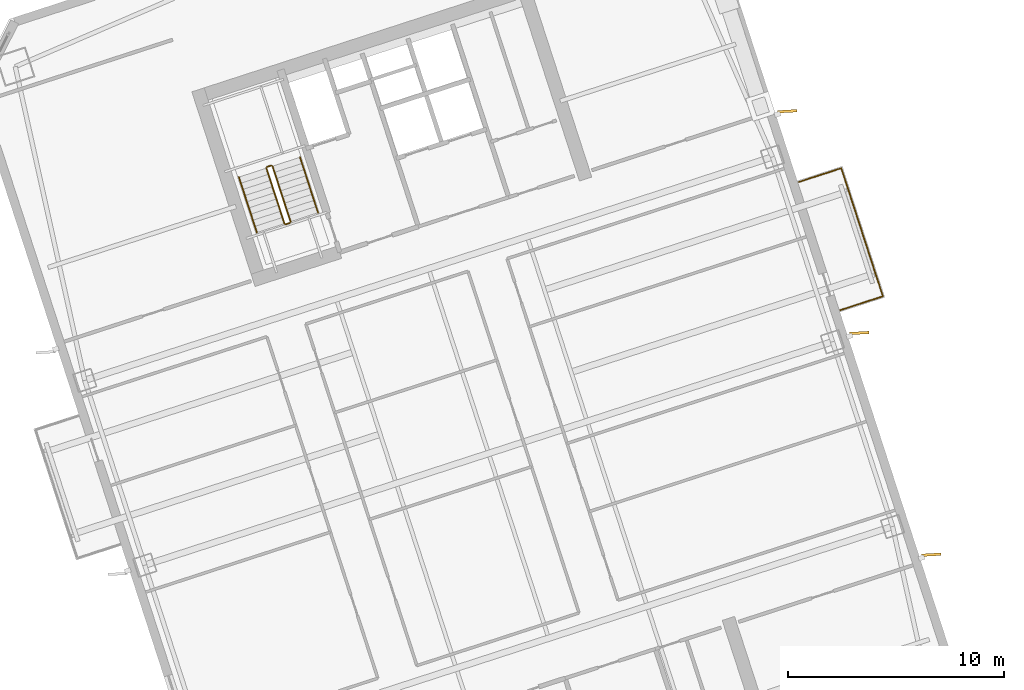
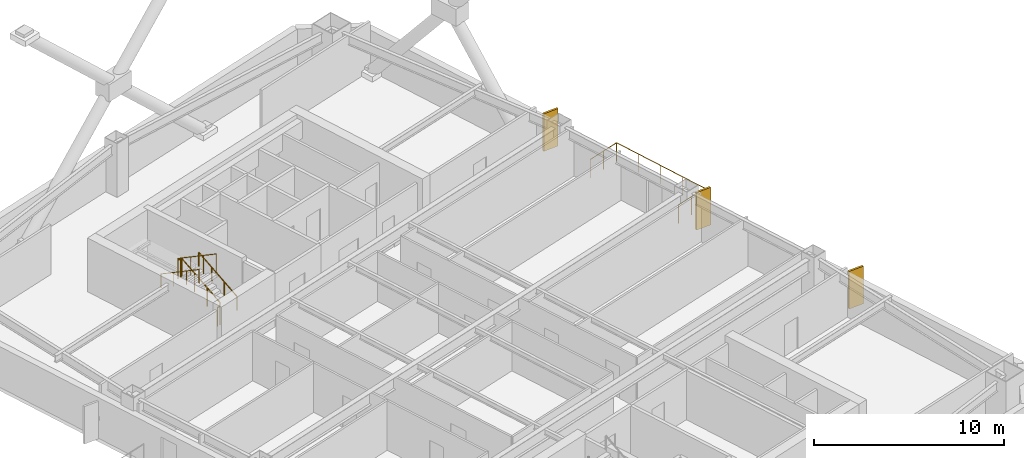
# One storey, part 24 of 24: 7 railings, 3 shading devices.
"""IFC4 building model written with IfcOpenShell, lengths in metres."""

from ifc_helpers import new_model, si_unit, direction, frame, origin, origin_2d, place, context, subcontext, project, spatial, rectangle, circle, extrude, material, layer, layer_set, type_object, element, save


model = new_model("IFC4")

# Units and contexts
model_context = context("Model", 3, precision=1e-05, world=origin(), true_north=direction((0.0, 1.0)))
body_context = subcontext(model_context, "Body", "Model", "MODEL_VIEW")
ifc_project = project(units=[si_unit("LENGTHUNIT", "METRE"), si_unit("AREAUNIT", "SQUARE_METRE"), si_unit("VOLUMEUNIT", "CUBIC_METRE"), si_unit("PLANEANGLEUNIT", "RADIAN"), si_unit("MASSUNIT", "GRAM", prefix="KILO")], contexts=[model_context])

# Site, building, storey
site_placement = place(None, origin())
site = spatial("IfcSite", under=ifc_project, at=site_placement, CompositionType="ELEMENT")
building_placement = place(site_placement, origin())
building = spatial("IfcBuilding", under=site, at=building_placement, Name="Qiaolan Cultural Towers", CompositionType="ELEMENT")
storey_placement = place(building_placement, frame((0.0, 0.0, 120.75)))
storey = spatial("IfcBuildingStorey", under=building, at=storey_placement, Name="L31", CompositionType="ELEMENT", Elevation=120.75)

# Railings
ifc_material_1 = material(Name="Laminated SentryGlas & Stainless Steel S31608 Balustrade", Category="steel")
railing_type_1 = type_object("IfcRailingType", Name="GRD-TERR-1200", PredefinedType="BALUSTRADE", material=ifc_material_1)
railing_1_placement = place(storey_placement, frame((106.29541015625, 40.640625, 0.0)))
element("IfcRailing", 1, at=railing_1_placement, inside=storey, type_object=railing_type_1, Name="L31 T2 Tree Balcony Guardrail E", PredefinedType="BALUSTRADE", context=body_context, shape_type="SweptSolid", body=[
    extrude(circle(Radius=0.02392578125, at=origin_2d()), frame((0.0, 0.0, 1.17578125), z_axis=(0.951061799618, 0.309000733507, 0.0), x_axis=(-0.309000733507, 0.951061799618, 0.0)), (0.0, 0.0, 1.0), 2.070068359375),
    extrude(circle(Radius=0.02392578125, at=origin_2d()), frame((1.96875, 0.6396484375, 1.17578125), z_axis=(-0.30901175762, 0.951058217804, 0.0), x_axis=(-0.951058217804, -0.30901175762, 0.0)), (0.0, 0.0, 1.0), 6.239990234375),
    extrude(circle(Radius=0.02392578125, at=origin_2d()), frame((0.04052734375, 6.57421875, 1.17578125), z_axis=(-0.951061799618, -0.309000733507, 0.0), x_axis=(0.309000733507, -0.951061799618, 0.0)), (0.0, 0.0, 1.0), 2.070068359375),
    extrude(circle(Radius=0.02099609375, at=origin_2d()), origin(), (0.0, 0.0, 1.0), 1.15185546875),
    extrude(circle(Radius=0.02099609375, at=origin_2d()), frame((0.984375, 0.31982421875, 0.0)), (0.0, 0.0, 1.0), 1.15185546875),
    extrude(circle(Radius=0.02099609375, at=origin_2d()), frame((1.96875, 0.6396484375, 0.0)), (0.0, 0.0, 1.0), 1.15185546875),
    extrude(circle(Radius=0.02099609375, at=origin_2d()), frame((1.48681640625, 2.123291015625, 0.0)), (0.0, 0.0, 1.0), 1.15185546875),
    extrude(circle(Radius=0.02099609375, at=origin_2d()), frame((1.004638671875, 3.60693359375, 0.0)), (0.0, 0.0, 1.0), 1.15185546875),
    extrude(circle(Radius=0.02099609375, at=origin_2d()), frame((0.5224609375, 5.090576171875, 0.0)), (0.0, 0.0, 1.0), 1.15185546875),
    extrude(circle(Radius=0.02099609375, at=origin_2d()), frame((0.04052734375, 6.57421875, 0.0)), (0.0, 0.0, 1.0), 1.15185546875),
    extrude(circle(Radius=0.02099609375, at=origin_2d()), frame((-0.94384765625, 6.25439453125, 0.0)), (0.0, 0.0, 1.0), 1.15185546875),
    extrude(circle(Radius=0.02099609375, at=origin_2d()), frame((-1.92822265625, 5.9345703125, 0.0)), (0.0, 0.0, 1.0), 1.15185546875),
])
ifc_material_2 = material(Name="Galvanized Painted Steel Stair Guardrail", Category="steel")
railing_type_2 = type_object("IfcRailingType", Name="RL-STAIR-GRD", PredefinedType="GUARDRAIL", material=ifc_material_2)
railing_2_placement = place(storey_placement, frame((80.822021484375, 44.739501953125, 0.172607421875)))
element("IfcRailing", 2, at=railing_2_placement, inside=storey, type_object=railing_type_2, Name="L31 ST-E2 stair guard 1", PredefinedType="GUARDRAIL", context=body_context, shape_type="SweptSolid", body=[
    extrude(circle(Radius=0.02392578125, at=origin_2d()), frame((0.0, 0.0, 1.17578125), z_axis=(-0.26785290645, 0.824488402118, 0.498471358535), x_axis=(-0.951069945308, -0.308975661068, 0.0)), (0.0, 0.0, 1.0), 3.114501953125),
    extrude(circle(Radius=0.02099609375, at=origin_2d()), origin(), (0.0, 0.0, 1.0), 1.15185546875),
    extrude(circle(Radius=0.02099609375, at=origin_2d()), frame((-0.278076171875, 0.85595703125, 0.517578125)), (0.0, 0.0, 1.0), 1.15185546875),
    extrude(circle(Radius=0.02099609375, at=origin_2d()), frame((-0.55615234375, 1.7119140625, 1.034912109375)), (0.0, 0.0, 1.0), 1.15185546875),
    extrude(circle(Radius=0.02099609375, at=origin_2d()), frame((-0.834228515625, 2.56787109375, 1.552490234375)), (0.0, 0.0, 1.0), 1.15185546875),
])
railing_3_placement = place(storey_placement, frame((79.9248046875, 47.33935546875, 1.72509765625)))
element("IfcRailing", 3, at=railing_3_placement, inside=storey, type_object=railing_type_2, Name="L31 ST-E2 stair guard 2", PredefinedType="GUARDRAIL", context=body_context, shape_type="SweptSolid", body=[
    extrude(circle(Radius=0.02392578125, at=origin_2d()), frame((0.0, 0.0, 1.17578125), z_axis=(-0.951096855055, -0.308892816854, 0.0), x_axis=(0.308892816854, -0.951096855055, 0.0)), (0.0, 0.0, 1.0), 0.199951171875),
    extrude(circle(Radius=0.02099609375, at=origin_2d()), origin(), (0.0, 0.0, 1.0), 1.15185546875),
    extrude(circle(Radius=0.02099609375, at=origin_2d()), frame((-0.190185546875, -0.061767578125, 0.0)), (0.0, 0.0, 1.0), 1.15185546875),
])
railing_4_placement = place(storey_placement, frame((79.702392578125, 47.214599609375, 1.8974609375)))
element("IfcRailing", 4, at=railing_4_placement, inside=storey, type_object=railing_type_2, Name="L31 ST-E2 stair guard 3", PredefinedType="GUARDRAIL", context=body_context, shape_type="SweptSolid", body=[
    extrude(circle(Radius=0.02392578125, at=origin_2d()), frame((0.0, 0.0, 1.17578125), z_axis=(0.267925668498, -0.824471088726, 0.498460891159), x_axis=(0.951043371037, 0.309057448393, 0.0)), (0.0, 0.0, 1.0), 3.114501953125),
    extrude(circle(Radius=0.02099609375, at=origin_2d()), origin(), (0.0, 0.0, 1.0), 1.15185546875),
    extrude(circle(Radius=0.02099609375, at=origin_2d()), frame((0.278076171875, -0.85595703125, 0.517578125)), (0.0, 0.0, 1.0), 1.15185546875),
    extrude(circle(Radius=0.02099609375, at=origin_2d()), frame((0.556396484375, -1.7119140625, 1.034912109375)), (0.0, 0.0, 1.0), 1.15185546875),
    extrude(circle(Radius=0.02099609375, at=origin_2d()), frame((0.83447265625, -2.56787109375, 1.552490234375)), (0.0, 0.0, 1.0), 1.15185546875),
])
railing_5_placement = place(storey_placement, frame((80.7900390625, 44.676513671875, 0.0)))
element("IfcRailing", 5, at=railing_5_placement, inside=storey, type_object=railing_type_2, Name="L31 ST-E2 stair guard 4", PredefinedType="GUARDRAIL", context=body_context, shape_type="SweptSolid", body=[
    extrude(circle(Radius=0.02392578125, at=origin_2d()), frame((0.0, 0.0, 1.17578125), z_axis=(-0.951096855055, -0.308892816854, 0.0), x_axis=(0.308892816854, -0.951096855055, 0.0)), (0.0, 0.0, 1.0), 0.199951171875),
    extrude(circle(Radius=0.02099609375, at=origin_2d()), origin(), (0.0, 0.0, 1.0), 1.15185546875),
    extrude(circle(Radius=0.02099609375, at=origin_2d()), frame((-0.190185546875, -0.061767578125, 0.0)), (0.0, 0.0, 1.0), 1.15185546875),
])
ifc_material_3 = material(Name="Stainless Steel S30408 Tubular Handrail", Category="steel")
railing_type_3 = type_object("IfcRailingType", Name="RL-STAIR-HR", PredefinedType="HANDRAIL", material=ifc_material_3)
railing_6_placement = place(storey_placement, frame((82.096435546875, 45.153564453125, 0.172607421875)))
element("IfcRailing", 6, at=railing_6_placement, inside=storey, type_object=railing_type_3, Name="L31 ST-E2 stair handrail 1", PredefinedType="HANDRAIL", context=body_context, shape_type="SweptSolid", body=[
    extrude(circle(Radius=0.02392578125, at=origin_2d()), frame((0.0, 0.0, 0.8759765625), z_axis=(-0.26785290645, 0.824488402118, 0.498471358535), x_axis=(-0.951069945308, -0.308975661068, 0.0)), (0.0, 0.0, 1.0), 3.114501953125),
    extrude(circle(Radius=0.02099609375, at=origin_2d()), origin(), (0.0, 0.0, 1.0), 0.851806640625),
    extrude(circle(Radius=0.02099609375, at=origin_2d()), frame((-0.278076171875, 0.85595703125, 0.517578125)), (0.0, 0.0, 1.0), 0.851806640625),
    extrude(circle(Radius=0.02099609375, at=origin_2d()), frame((-0.55615234375, 1.7119140625, 1.034912109375)), (0.0, 0.0, 1.0), 0.851806640625),
    extrude(circle(Radius=0.02099609375, at=origin_2d()), frame((-0.834228515625, 2.56787109375, 1.552490234375)), (0.0, 0.0, 1.0), 0.851806640625),
])
railing_7_placement = place(storey_placement, frame((78.427978515625, 46.800537109375, 1.8974609375)))
element("IfcRailing", 7, at=railing_7_placement, inside=storey, type_object=railing_type_3, Name="L31 ST-E2 stair handrail 2", PredefinedType="HANDRAIL", context=body_context, shape_type="SweptSolid", body=[
    extrude(circle(Radius=0.02392578125, at=origin_2d()), frame((0.0, 0.0, 0.8759765625), z_axis=(0.267925668498, -0.824471088726, 0.498460891159), x_axis=(0.951043371037, 0.309057448393, 0.0)), (0.0, 0.0, 1.0), 3.114501953125),
    extrude(circle(Radius=0.02099609375, at=origin_2d()), origin(), (0.0, 0.0, 1.0), 0.851806640625),
    extrude(circle(Radius=0.02099609375, at=origin_2d()), frame((0.278076171875, -0.85595703125, 0.517578125)), (0.0, 0.0, 1.0), 0.851806640625),
    extrude(circle(Radius=0.02099609375, at=origin_2d()), frame((0.556396484375, -1.7119140625, 1.034912109375)), (0.0, 0.0, 1.0), 0.851806640625),
    extrude(circle(Radius=0.02099609375, at=origin_2d()), frame((0.83447265625, -2.56787109375, 1.552490234375)), (0.0, 0.0, 1.0), 0.851806640625),
])

# Shading devices
ifc_material_4 = material(Name="Pierced Warm Terracotta Acoustic Fin", Category="masonry")
ifc_layer = layer(ifc_material_4, 0.1201171875)
ifc_layer_set = layer_set([ifc_layer], Name="Pierced Warm Terracotta Acoustic Fin")
shading_device_type = type_object("IfcShadingDeviceType", Name="SHD-FIN-PIERCED", PredefinedType="USERDEFINED", material=ifc_layer_set)
for number, where, z_axis, x_axis, name in (
    (8, (110.513427734375, 29.309326171875, 0.10009765625), (0.0, 0.0, 1.0), (0.998413479427, 0.056307407143, 0.0), "L31 T2 Expressive Precast Vertical Fin E1"),
    (9, (107.176025390625, 39.580810546875, 0.10009765625), (0.0, 0.0, 1.0), (0.998413479427, 0.056307407143, 0.0), "L31 T2 Expressive Precast Vertical Fin E2"),
    (10, (103.838623046875, 49.852294921875, 0.10009765625), (0.0, 0.0, 1.0), (0.998413479427, 0.056307407143, 0.0), "L31 T2 Expressive Precast Vertical Fin E3"),
):
    element("IfcShadingDevice", number, at=place(storey_placement, frame(where, z_axis=z_axis, x_axis=x_axis)), inside=storey, type_object=shading_device_type, Name=name, ObjectType="FIN", PredefinedType="USERDEFINED", context=body_context, shape_type="SweptSolid", body=[
        extrude(rectangle(XDim=0.89990234375, YDim=0.1201171875, at=origin_2d()), origin(), (0.0, 0.0, 1.0), 2.409912109375),
    ])

save(model, "model.ifc")
